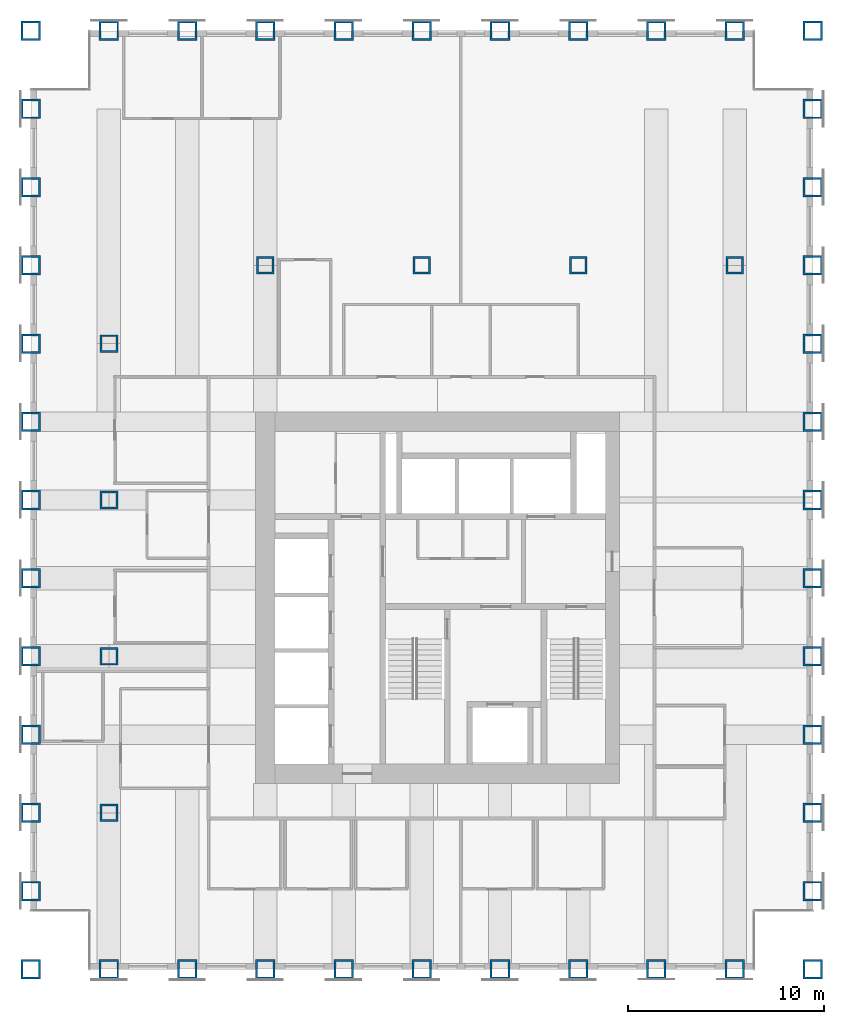
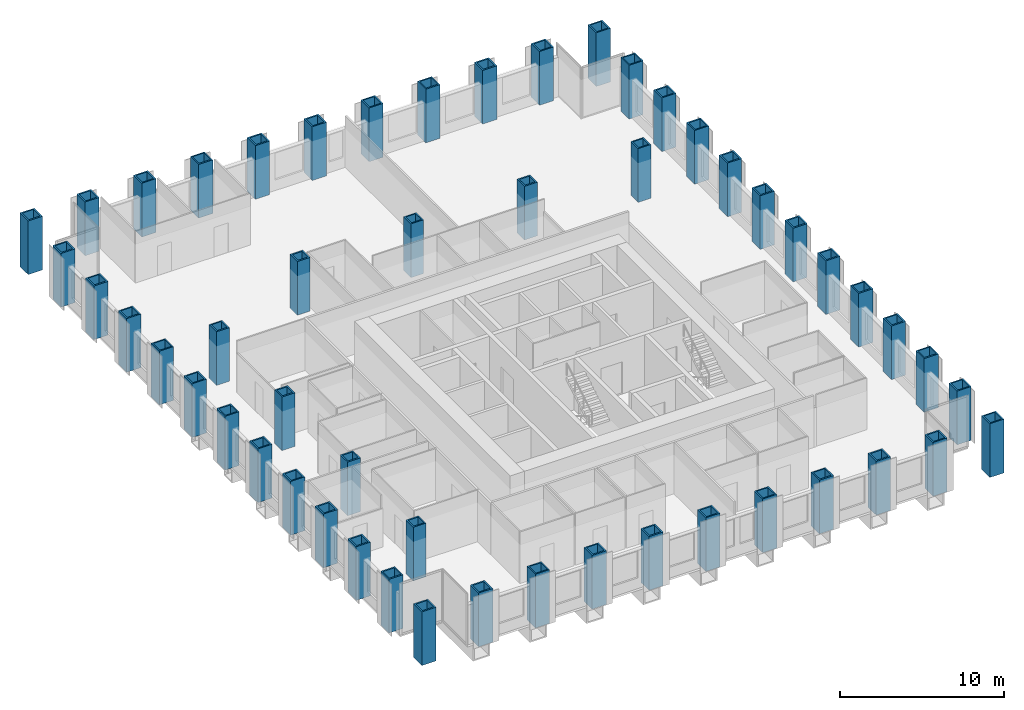
# One storey, part 1 of 13: 52 columns.
"""IFC4 building model written with IfcOpenShell, lengths in metres."""

import ifcopenshell
import ifcopenshell.guid

model = None  # the IFC model being written
_history = None  # IfcOwnerHistory: only IFC2X3 demands one
_inside = {}  # id of a spatial element -> (the spatial element, [elements in it])
_under = {}  # id of a project, library or spatial element -> (it, [spatial elements below it])
_declared = {}  # id of a project -> (the project, [libraries it declares])
_typed = {}  # id of a type object -> (the type object, [elements of that type])
_made_of = {}  # id of a material, layer set ... -> (it, [elements and type objects made of it])


def new_model(schema):
    """Start an empty IFC model of exactly this schema.

    Asked for "IFC4X3", IfcOpenShell would pick the latest addendum, in which some entities
    have other attributes; the version numbers below select the first issue.
    IFC2X3 requires an IfcOwnerHistory on every rooted entity: one is made here for all.
    """
    global model, _history
    if schema == "IFC4X3":
        model = ifcopenshell.file(schema_version=(4, 3, 0, 0))
    else:
        model = ifcopenshell.file(schema=schema)
    _inside.clear()
    _under.clear()
    _declared.clear()
    _typed.clear()
    _made_of.clear()
    _history = None
    if model.schema == "IFC2X3":
        org = make("IfcOrganization", Name="unknown")
        user = make(
            "IfcPersonAndOrganization",
            ThePerson=make("IfcPerson", FamilyName="unknown"),
            TheOrganization=org,
        )
        app = make(
            "IfcApplication",
            ApplicationDeveloper=org,
            Version="unknown",
            ApplicationFullName="unknown",
            ApplicationIdentifier="unknown",
        )
        _history = make(
            "IfcOwnerHistory",
            OwningUser=user,
            OwningApplication=app,
            ChangeAction="ADDED",
            CreationDate=0,
        )
    return model


def make(cls, **values):
    """One entity of the class cls with the attributes given. An attribute that is None is left unset."""
    return model.create_entity(
        cls, **{name: value for name, value in values.items() if value is not None}
    )


def rooted(cls, **values):
    """An entity with a GlobalId (a new one), such as an element, a storey or a relation."""
    return make(cls, GlobalId=ifcopenshell.guid.new(), OwnerHistory=_history, **values)


def si_unit(unit_type, name, prefix=None):
    """IfcSIUnit, for example si_unit("LENGTHUNIT", "METRE", prefix="MILLI")."""
    return make("IfcSIUnit", UnitType=unit_type, Prefix=prefix, Name=name)


def assignment(units):
    """IfcUnitAssignment: the units of a project."""
    return None if units is None else make("IfcUnitAssignment", Units=units)


def point(xyz):
    """IfcCartesianPoint."""
    return None if xyz is None else make("IfcCartesianPoint", Coordinates=xyz)


def direction(xyz):
    """IfcDirection."""
    return None if xyz is None else make("IfcDirection", DirectionRatios=xyz)


def frame(location, z_axis=None, x_axis=None):
    """IfcAxis2Placement3D, a coordinate frame: its origin and axes. An axis left out is left unset."""
    return make(
        "IfcAxis2Placement3D",
        Location=point(location),
        Axis=direction(z_axis),
        RefDirection=direction(x_axis),
    )


def frame_2d(location, x_axis=None):
    """IfcAxis2Placement2D, a coordinate frame in the plane: its origin and x axis."""
    return make(
        "IfcAxis2Placement2D", Location=point(location), RefDirection=direction(x_axis)
    )


def origin():
    """The frame at (0, 0, 0) with its axes left unset."""
    return frame((0.0, 0.0, 0.0))


def origin_2d():
    """The frame at (0, 0) in the plane with its x axis left unset."""
    return frame_2d((0.0, 0.0))


def place(relative_to, where):
    """IfcLocalPlacement: puts the frame where relative to a parent placement (None: the world)."""
    return make(
        "IfcLocalPlacement", PlacementRelTo=relative_to, RelativePlacement=where
    )


def context(
    kind, dimensions, precision=None, world=None, true_north=None, identifier=None
):
    """IfcGeometricRepresentationContext, for example the 3D "Model" context."""
    return make(
        "IfcGeometricRepresentationContext",
        ContextIdentifier=identifier,
        ContextType=kind,
        CoordinateSpaceDimension=dimensions,
        Precision=precision,
        WorldCoordinateSystem=world,
        TrueNorth=true_north,
    )


def subcontext(parent, identifier, kind, view, scale=None):
    """IfcGeometricRepresentationSubContext, for example "Body" below "Model"."""
    return make(
        "IfcGeometricRepresentationSubContext",
        ContextIdentifier=identifier,
        ContextType=kind,
        ParentContext=parent,
        TargetScale=scale,
        TargetView=view,
    )


def project(units=None, contexts=None):
    """IfcProject with its units and contexts."""
    return rooted(
        "IfcProject",
        Name="project",
        RepresentationContexts=contexts,
        UnitsInContext=assignment(units),
    )


def spatial(cls, under=None, at=None, **own):
    """A site, building, storey or space (cls), placed at a placement, below another one or the project."""
    s = rooted(cls, ObjectPlacement=at, **own)
    if under is not None:
        _under.setdefault(under.id(), (under, []))[1].append(s)
    return s


def profile(cls, at=None, kind="AREA", **sizes):
    """A parametric profile (cls). Its sizes go by their IFC names, for example OverallWidth=200.0."""
    return make(cls, ProfileType=kind, Position=at, **sizes)


def hollow_rectangle(**sizes):
    """IfcRectangleHollowProfileDef."""
    return profile("IfcRectangleHollowProfileDef", **sizes)


def extrude(swept, where, along, depth):
    """IfcExtrudedAreaSolid: the profile swept, set in the frame where, extruded along a direction by depth."""
    return make(
        "IfcExtrudedAreaSolid",
        SweptArea=swept,
        Position=where,
        ExtrudedDirection=direction(along),
        Depth=depth,
    )


def shape(context_of_items, identifier, shape_type, items):
    """IfcShapeRepresentation: the items that make up one representation, for example the "Body"."""
    return make(
        "IfcShapeRepresentation",
        ContextOfItems=context_of_items,
        RepresentationIdentifier=identifier,
        RepresentationType=shape_type,
        Items=items,
    )


def material(Name=None, Category=None):
    """IfcMaterial."""
    return make("IfcMaterial", Name=Name, Category=Category)


def material_profile(
    of_material, cross_section, Name=None, Category=None, Priority=None
):
    """IfcMaterialProfile: a cross section and its material."""
    return make(
        "IfcMaterialProfile",
        Name=Name,
        Material=of_material,
        Profile=cross_section,
        Priority=Priority,
        Category=Category,
    )


def profile_set(profiles, Name=None, composite=None):
    """IfcMaterialProfileSet."""
    return make(
        "IfcMaterialProfileSet",
        Name=Name,
        MaterialProfiles=profiles,
        CompositeProfile=composite,
    )


def made_of(thing, what):
    """Note that an element or type object is made of a material, layer set ...; save() writes the relation."""
    if what is not None:
        _made_of.setdefault(what.id(), (what, []))[1].append(thing)
    return thing


def type_object(cls, material=None, **own):
    """A type object (cls), such as IfcWallType, which elements share."""
    return made_of(rooted(cls, **own), material)


def element(
    cls,
    number,
    at=None,
    inside=None,
    cuts=None,
    type_object=None,
    material=None,
    context=None,
    identifier="Body",
    shape_type=None,
    held_by="IfcProductDefinitionShape",
    body=None,
    shapes=None,
    **own,
):
    """One element of the class cls, such as IfcWall. Its Tag is "e" and its number.

    at: its placement. inside: the storey or other place that contains it. cuts: it is an
    opening in that element (IfcRelVoidsElement). A single representation is given by context,
    identifier, shape_type and body (its items); several are given by shapes. held_by: the class
    of the entity that holds the representations. save() writes the other relations.
    """
    e = rooted(cls, Tag="e%d" % number, ObjectPlacement=at, **own)
    if body is not None:
        shapes = [shape(context, identifier, shape_type, body)]
    if shapes is not None:
        e.Representation = make(held_by, Representations=shapes)
    if inside is not None:
        _inside.setdefault(inside.id(), (inside, []))[1].append(e)
    if cuts is not None:
        rooted(
            "IfcRelVoidsElement", RelatingBuildingElement=cuts, RelatedOpeningElement=e
        )
    if type_object is not None:
        _typed.setdefault(type_object.id(), (type_object, []))[1].append(e)
    return made_of(e, material)


def aggregate(whole, parts):
    """IfcRelAggregates: a whole, such as a stair, and the parts it consists of."""
    return rooted("IfcRelAggregates", RelatingObject=whole, RelatedObjects=parts)


def save(model, path):
    """Write the relations noted so far, then the file.

    IfcRelAggregates (storeys below a building ...), IfcRelContainedInSpatialStructure (elements
    in a storey), IfcRelDefinesByType, IfcRelAssociatesMaterial and IfcRelDeclares: one each for
    every whole, place, type object, material and project.
    """
    for whole, parts in _under.values():
        aggregate(whole, parts)
    for where, things in _inside.values():
        rooted(
            "IfcRelContainedInSpatialStructure",
            RelatedElements=things,
            RelatingStructure=where,
        )
    for kind, things in _typed.values():
        rooted("IfcRelDefinesByType", RelatedObjects=things, RelatingType=kind)
    for what, things in _made_of.values():
        rooted("IfcRelAssociatesMaterial", RelatedObjects=things, RelatingMaterial=what)
    for by, libraries in _declared.values():
        rooted("IfcRelDeclares", RelatingContext=by, RelatedDefinitions=libraries)
    model.write(path)


model = new_model("IFC4")

# Units and contexts
model_context = context("Model", 3, precision=1e-05, world=origin(), true_north=direction((0.0, 1.0)))
body_context = subcontext(model_context, "Body", "Model", "MODEL_VIEW")
ifc_project = project(units=[si_unit("LENGTHUNIT", "METRE"), si_unit("AREAUNIT", "SQUARE_METRE"), si_unit("VOLUMEUNIT", "CUBIC_METRE"), si_unit("PLANEANGLEUNIT", "RADIAN"), si_unit("MASSUNIT", "GRAM", prefix="KILO")], contexts=[model_context])

# Site, building, storey
site_placement = place(None, origin())
site = spatial("IfcSite", under=ifc_project, at=site_placement, CompositionType="ELEMENT")
building_placement = place(site_placement, origin())
building = spatial("IfcBuilding", under=site, at=building_placement, Name="Rimbunsela Tower", CompositionType="ELEMENT")
storey_placement = place(building_placement, frame((0.0, 0.0, 175.800048828125)))
storey = spatial("IfcBuildingStorey", under=building, at=storey_placement, Name="L42", CompositionType="ELEMENT", Elevation=175.800048828125)

# Columns
ifc_material_1 = material(Name="Steel BJ 55 (fy 410 MPa)", Category="steel")
ifc_material_profile_1 = material_profile(ifc_material_1, hollow_rectangle(XDim=1.0, YDim=1.0, WallThickness=0.10009765625, at=origin_2d()), Name="BOX 1000x1000x100")
ifc_profile_set_1 = profile_set([ifc_material_profile_1], Name="Steel BJ 55 (fy 410 MPa)")
column_type_1 = type_object("IfcColumnType", Name="Column BOX 1000x1000x100", PredefinedType="COLUMN", material=ifc_profile_set_1)
for number, where, z_axis, x_axis, name in (
    (1, (6.0, 8.0, 0.0), (0.0, 0.0, 1.0), (1.0, 0.0, 0.0), "Column C1 4/D L42"),
    (2, (6.0, 12.0, 0.0), (0.0, 0.0, 1.0), (1.0, 0.0, 0.0), "Column C1 4/E L42"),
    (3, (6.0, 16.0, 0.0), (0.0, 0.0, 1.0), (1.0, 0.0, 0.0), "Column C1 4/F L42"),
    (4, (6.0, 20.0, 0.0), (0.0, 0.0, 1.0), (1.0, 0.0, 0.0), "Column C1 4/G L42"),
    (5, (6.0, 24.0, 0.0), (0.0, 0.0, 1.0), (1.0, 0.0, 0.0), "Column C1 4/H L42"),
    (6, (6.0, 28.0, 0.0), (0.0, 0.0, 1.0), (1.0, 0.0, 0.0), "Column C1 4/J L42"),
    (7, (6.0, 32.0, 0.0), (0.0, 0.0, 1.0), (1.0, 0.0, 0.0), "Column C1 4/K L42"),
    (8, (6.0, 36.0, 0.0), (0.0, 0.0, 1.0), (1.0, 0.0, 0.0), "Column C1 4/L L42"),
    (9, (6.0, 40.0, 0.0), (0.0, 0.0, 1.0), (1.0, 0.0, 0.0), "Column C1 4/M L42"),
    (10, (6.0, 44.0, 0.0), (0.0, 0.0, 1.0), (1.0, 0.0, 0.0), "Column C1 4/N L42"),
    (11, (6.0, 48.0, 0.0), (0.0, 0.0, 1.0), (1.0, 0.0, 0.0), "Column C1 4/P L42"),
    (12, (6.0, 52.0, 0.0), (0.0, 0.0, 1.0), (1.0, 0.0, 0.0), "Column C1 4/Q L42"),
    (13, (6.0, 56.0, 0.0), (0.0, 0.0, 1.0), (1.0, 0.0, 0.0), "Column C1 4/R L42"),
    (14, (10.0, 8.0, 0.0), (0.0, 0.0, 1.0), (1.0, 0.0, 0.0), "Column C1 5/D L42"),
    (15, (10.0, 56.0, 0.0), (0.0, 0.0, 1.0), (1.0, 0.0, 0.0), "Column C1 5/R L42"),
    (16, (14.0, 8.0, 0.0), (0.0, 0.0, 1.0), (1.0, 0.0, 0.0), "Column C1 6/D L42"),
    (17, (14.0, 56.0, 0.0), (0.0, 0.0, 1.0), (1.0, 0.0, 0.0), "Column C1 6/R L42"),
    (18, (18.0, 8.0, 0.0), (0.0, 0.0, 1.0), (1.0, 0.0, 0.0), "Column C1 7/D L42"),
    (19, (18.0, 56.0, 0.0), (0.0, 0.0, 1.0), (1.0, 0.0, 0.0), "Column C1 7/R L42"),
    (20, (22.0, 8.0, 0.0), (0.0, 0.0, 1.0), (1.0, 0.0, 0.0), "Column C1 8/D L42"),
    (21, (22.0, 56.0, 0.0), (0.0, 0.0, 1.0), (1.0, 0.0, 0.0), "Column C1 8/R L42"),
    (22, (26.0, 8.0, 0.0), (0.0, 0.0, 1.0), (1.0, 0.0, 0.0), "Column C1 9/D L42"),
    (23, (26.0, 56.0, 0.0), (0.0, 0.0, 1.0), (1.0, 0.0, 0.0), "Column C1 9/R L42"),
    (24, (30.0, 8.0, 0.0), (0.0, 0.0, 1.0), (1.0, 0.0, 0.0), "Column C1 10/D L42"),
    (25, (30.0, 56.0, 0.0), (0.0, 0.0, 1.0), (1.0, 0.0, 0.0), "Column C1 10/R L42"),
    (26, (34.0, 8.0, 0.0), (0.0, 0.0, 1.0), (1.0, 0.0, 0.0), "Column C1 11/D L42"),
    (27, (34.0, 56.0, 0.0), (0.0, 0.0, 1.0), (1.0, 0.0, 0.0), "Column C1 11/R L42"),
    (28, (38.0, 8.0, 0.0), (0.0, 0.0, 1.0), (1.0, 0.0, 0.0), "Column C1 12/D L42"),
    (29, (38.0, 56.0, 0.0), (0.0, 0.0, 1.0), (1.0, 0.0, 0.0), "Column C1 12/R L42"),
    (30, (42.0, 8.0, 0.0), (0.0, 0.0, 1.0), (1.0, 0.0, 0.0), "Column C1 13/D L42"),
    (31, (42.0, 56.0, 0.0), (0.0, 0.0, 1.0), (1.0, 0.0, 0.0), "Column C1 13/R L42"),
    (32, (46.0, 8.0, 0.0), (0.0, 0.0, 1.0), (1.0, 0.0, 0.0), "Column C1 14/D L42"),
    (33, (46.0, 12.0, 0.0), (0.0, 0.0, 1.0), (1.0, 0.0, 0.0), "Column C1 14/E L42"),
    (34, (46.0, 16.0, 0.0), (0.0, 0.0, 1.0), (1.0, 0.0, 0.0), "Column C1 14/F L42"),
    (35, (46.0, 20.0, 0.0), (0.0, 0.0, 1.0), (1.0, 0.0, 0.0), "Column C1 14/G L42"),
    (36, (46.0, 24.0, 0.0), (0.0, 0.0, 1.0), (1.0, 0.0, 0.0), "Column C1 14/H L42"),
    (37, (46.0, 28.0, 0.0), (0.0, 0.0, 1.0), (1.0, 0.0, 0.0), "Column C1 14/J L42"),
    (38, (46.0, 32.0, 0.0), (0.0, 0.0, 1.0), (1.0, 0.0, 0.0), "Column C1 14/K L42"),
    (39, (46.0, 36.0, 0.0), (0.0, 0.0, 1.0), (1.0, 0.0, 0.0), "Column C1 14/L L42"),
    (40, (46.0, 40.0, 0.0), (0.0, 0.0, 1.0), (1.0, 0.0, 0.0), "Column C1 14/M L42"),
    (41, (46.0, 44.0, 0.0), (0.0, 0.0, 1.0), (1.0, 0.0, 0.0), "Column C1 14/N L42"),
    (42, (46.0, 48.0, 0.0), (0.0, 0.0, 1.0), (1.0, 0.0, 0.0), "Column C1 14/P L42"),
    (43, (46.0, 52.0, 0.0), (0.0, 0.0, 1.0), (1.0, 0.0, 0.0), "Column C1 14/Q L42"),
    (44, (46.0, 56.0, 0.0), (0.0, 0.0, 1.0), (1.0, 0.0, 0.0), "Column C1 14/R L42"),
):
    element("IfcColumn", number, at=place(storey_placement, frame(where, z_axis=z_axis, x_axis=x_axis)), inside=storey, type_object=column_type_1, Name=name, PredefinedType="COLUMN", context=body_context, shape_type="SweptSolid", body=[
        extrude(hollow_rectangle(XDim=1.0, YDim=1.0, WallThickness=0.10009765625, at=origin_2d()), origin(), (0.0, 0.0, 1.0), 4.0),
    ])
ifc_material_2 = material(Name="Steel BJ 55 (fy 410 MPa)", Category="steel")
ifc_material_profile_2 = material_profile(ifc_material_2, hollow_rectangle(XDim=0.89990234375, YDim=0.89990234375, WallThickness=0.10009765625, at=origin_2d()), Name="BOX 900x900x100")
ifc_profile_set_2 = profile_set([ifc_material_profile_2], Name="Steel BJ 55 (fy 410 MPa)")
column_type_2 = type_object("IfcColumnType", Name="Column BOX 900x900x100", PredefinedType="COLUMN", material=ifc_profile_set_2)
for number, where, z_axis, x_axis, name in (
    (45, (10.0, 16.0, 0.0), (0.0, 0.0, 1.0), (1.0, 0.0, 0.0), "Column C5 5/F L42"),
    (46, (10.0, 24.0, 0.0), (0.0, 0.0, 1.0), (1.0, 0.0, 0.0), "Column C5 5/H L42"),
    (47, (10.0, 32.0, 0.0), (0.0, 0.0, 1.0), (1.0, 0.0, 0.0), "Column C5 5/K L42"),
    (48, (10.0, 40.0, 0.0), (0.0, 0.0, 1.0), (1.0, 0.0, 0.0), "Column C5 5/M L42"),
    (49, (18.0, 44.0, 0.0), (0.0, 0.0, 1.0), (1.0, 0.0, 0.0), "Column C5 7/N L42"),
    (50, (26.0, 44.0, 0.0), (0.0, 0.0, 1.0), (1.0, 0.0, 0.0), "Column C5 9/N L42"),
    (51, (34.0, 44.0, 0.0), (0.0, 0.0, 1.0), (1.0, 0.0, 0.0), "Column C5 11/N L42"),
    (52, (42.0, 44.0, 0.0), (0.0, 0.0, 1.0), (1.0, 0.0, 0.0), "Column C5 13/N L42"),
):
    element("IfcColumn", number, at=place(storey_placement, frame(where, z_axis=z_axis, x_axis=x_axis)), inside=storey, type_object=column_type_2, Name=name, PredefinedType="COLUMN", context=body_context, shape_type="SweptSolid", body=[
        extrude(hollow_rectangle(XDim=0.89990234375, YDim=0.89990234375, WallThickness=0.10009765625, at=origin_2d()), origin(), (0.0, 0.0, 1.0), 4.0),
    ])

save(model, "model.ifc")
